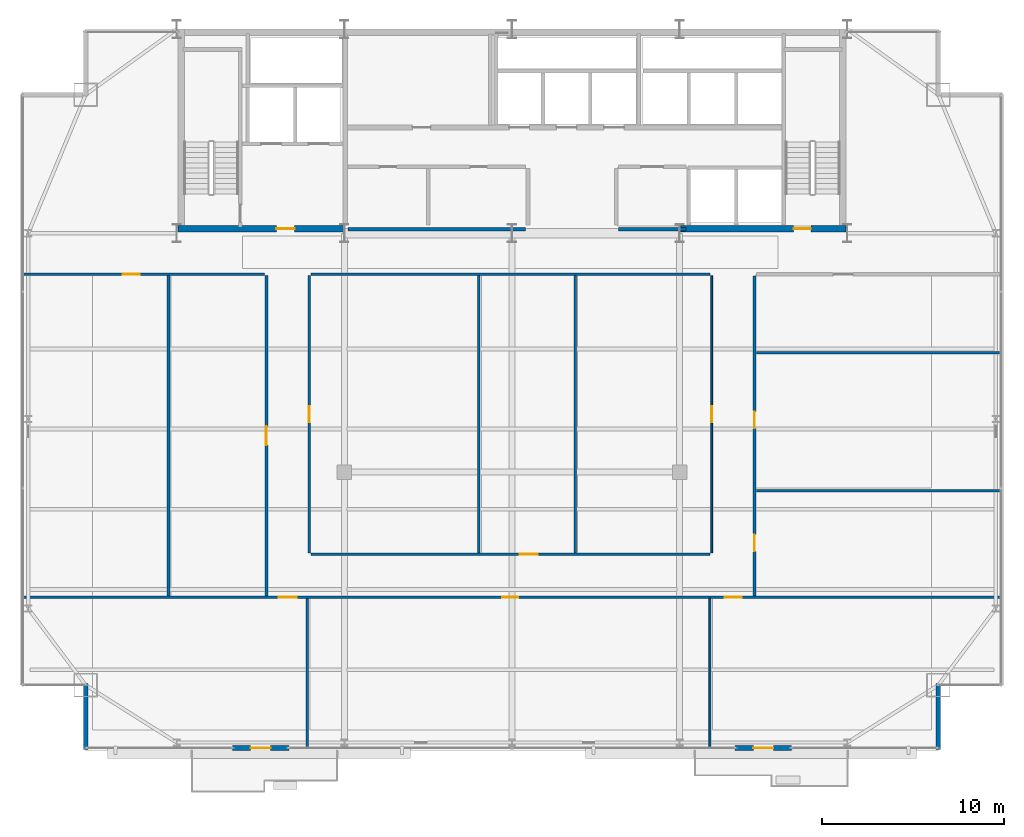
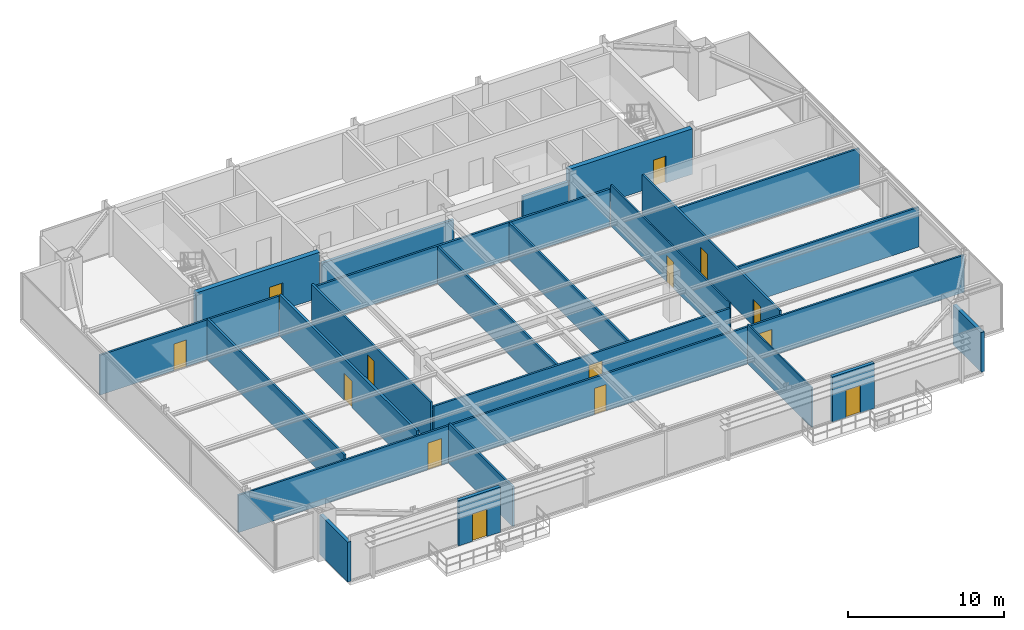
# One storey, part 27 of 31: 23 walls, 14 doors, 14 openings.
"""IFC4 building model written with IfcOpenShell, lengths in metres."""

from ifc_helpers import new_model, si_unit, direction, frame, frame_2d, origin, place, context, subcontext, project, spatial, rectangle, extrude, source, transform, mapped, material, layer, layer_set, type_object, type_shapes, element, fill, save


model = new_model("IFC4")

# Units and contexts
model_context = context("Model", 3, precision=1e-05, world=origin(), true_north=direction((0.0, 1.0)))
body_context = subcontext(model_context, "Body", "Model", "MODEL_VIEW")
ifc_project = project(units=[si_unit("LENGTHUNIT", "METRE"), si_unit("AREAUNIT", "SQUARE_METRE"), si_unit("VOLUMEUNIT", "CUBIC_METRE"), si_unit("PLANEANGLEUNIT", "RADIAN"), si_unit("MASSUNIT", "GRAM", prefix="KILO")], contexts=[model_context])

# Site, building, storey
site_placement = place(None, origin())
site = spatial("IfcSite", under=ifc_project, at=site_placement, CompositionType="ELEMENT")
building_placement = place(site_placement, origin())
building = spatial("IfcBuilding", under=site, at=building_placement, Name="Varnel Quay Broadcast Tower", CompositionType="ELEMENT")
storey_placement = place(building_placement, frame((0.0, 0.0, 183.800048828125)))
storey = spatial("IfcBuildingStorey", under=building, at=storey_placement, Name="L45", CompositionType="ELEMENT", Elevation=183.800048828125)

# Wall, opening, door
ifc_material_1 = material(Name="Concrete CSA A23.3 C50/60", Category="concrete")
ifc_layer_1 = layer(ifc_material_1, 0.35009765625, Name="Concrete CSA A23.3 C50/60")
ifc_layer_set_1 = layer_set([ifc_layer_1], Name="Concrete CSA A23.3 C50/60")
wall_type_1 = type_object("IfcWallType", Name="Wall_CoreShearInt350", PredefinedType="SHEAR", material=ifc_layer_set_1)
wall_1_placement = place(storey_placement, frame((15.669921875, 35.844970703125, 0.0), z_axis=(0.0, 0.0, 1.0), x_axis=(1.0, 0.0, 0.0)))
wall_1 = element("IfcWall", 1, at=wall_1_placement, inside=storey, type_object=wall_type_1, Name="L45 South-West Core Shear Wall", PredefinedType="SHEAR", context=body_context, shape_type="SweptSolid", body=[
    extrude(rectangle(XDim=9.130126953125, YDim=0.35009765625, at=frame_2d((4.56494140625, 0.0))), origin(), (0.0, 0.0, 1.0), 3.550048828125),
])
opening_1_placement = place(wall_1_placement, frame((5.39990234375, 0.0, 0.0)))
opening_1 = element("IfcOpeningElement", 2, at=opening_1_placement, cuts=wall_1, Name="Opening D-L45-FFL", PredefinedType="OPENING", context=body_context, shape_type="SweptSolid", body=[
    extrude(rectangle(XDim=1.0, YDim=2.10009765625, at=frame_2d((0.5, 1.050048828125))), frame((0.0, 0.18505859375, 0.0), z_axis=(0.0, -1.0, 0.0), x_axis=(1.0, 0.0, 0.0)), (0.0, 0.0, 1.0), 0.3701171875),
])
ifc_material_2 = material(Name="Insulated Fire-Rated Hollow Steel Door", Category="steel")
door_type_1 = type_object("IfcDoorType", Name="Door_FireLobby1000", OperationType="NOTDEFINED", PredefinedType="DOOR", material=ifc_material_2)
shared_shape_1 = source(origin(), body_context, "Body", "SweptSolid", [
    extrude(rectangle(XDim=1.0, YDim=2.10009765625, at=frame_2d((0.5, 1.050048828125))), frame((0.0, 0.02490234375, 0.0), z_axis=(0.0, -1.0, 0.0), x_axis=(1.0, 0.0, 0.0)), (0.0, 0.0, 1.0), 0.050048828125),
])
type_shapes(door_type_1, [shared_shape_1])
door_1_placement = place(opening_1_placement, origin())
door_1 = element("IfcDoor", 3, at=door_1_placement, inside=storey, type_object=door_type_1, Name="L45 Firefighting Lobby Door", OperationType="SINGLE_SWING_RIGHT", OverallHeight=2.10009765625, OverallWidth=1.0, PredefinedType="DOOR", context=body_context, shape_type="MappedRepresentation", body=[
    mapped(shared_shape_1, transform((0.0, 0.0, 0.0), x_axis=(1.0, 0.0, 0.0), y_axis=(0.0, 1.0, 0.0), z_axis=(0.0, 0.0, 1.0), scale=1.0)),
])
fill(opening_1, door_1)

wall_2_placement = place(storey_placement, frame((43.199951171875, 35.844970703125, 0.0), z_axis=(0.0, 0.0, 1.0), x_axis=(1.0, 0.0, 0.0)))
wall_2 = element("IfcWall", 4, at=wall_2_placement, inside=storey, type_object=wall_type_1, Name="L45 South-East Core Shear Wall", PredefinedType="SHEAR", context=body_context, shape_type="SweptSolid", body=[
    extrude(rectangle(XDim=9.130126953125, YDim=0.35009765625, at=frame_2d((4.56494140625, 0.0))), origin(), (0.0, 0.0, 1.0), 3.550048828125),
])
opening_2_placement = place(wall_2_placement, frame((6.25, 0.0, 0.0)))
opening_2 = element("IfcOpeningElement", 5, at=opening_2_placement, cuts=wall_2, Name="Opening D-L45-S2", PredefinedType="OPENING", context=body_context, shape_type="SweptSolid", body=[
    extrude(rectangle(XDim=0.949951171875, YDim=2.10009765625, at=frame_2d((0.47509765625, 1.050048828125))), frame((0.0, 0.18505859375, 0.0), z_axis=(0.0, -1.0, 0.0), x_axis=(1.0, 0.0, 0.0)), (0.0, 0.0, 1.0), 0.3701171875),
])
door_type_2 = type_object("IfcDoorType", Name="Door_FireStair950", OperationType="NOTDEFINED", PredefinedType="DOOR", material=ifc_material_2)
shared_shape_2 = source(origin(), body_context, "Body", "SweptSolid", [
    extrude(rectangle(XDim=0.949951171875, YDim=2.10009765625, at=frame_2d((0.47509765625, 1.050048828125))), frame((0.0, 0.02490234375, 0.0), z_axis=(0.0, -1.0, 0.0), x_axis=(1.0, 0.0, 0.0)), (0.0, 0.0, 1.0), 0.050048828125),
])
type_shapes(door_type_2, [shared_shape_2])
door_2_placement = place(opening_2_placement, origin())
door_2 = element("IfcDoor", 6, at=door_2_placement, inside=storey, type_object=door_type_2, Name="L45 Stair 2 Fire Door", OperationType="SINGLE_SWING_LEFT", OverallHeight=2.10009765625, OverallWidth=0.949951171875, PredefinedType="DOOR", context=body_context, shape_type="MappedRepresentation", body=[
    mapped(shared_shape_2, transform((0.0, 0.0, 0.0), x_axis=(1.0, 0.0, 0.0), y_axis=(0.0, 1.0, 0.0), z_axis=(0.0, 0.0, 1.0), scale=1.0)),
])
fill(opening_2, door_2)

ifc_material_3 = material(Name="Precast Architectural Concrete C40/50", Category="concrete")
ifc_layer_2 = layer(ifc_material_3, 0.25, Name="Precast Architectural Concrete C40/50")
ifc_layer_set_2 = layer_set([ifc_layer_2], Name="Precast Architectural Concrete C40/50")
wall_type_2 = type_object("IfcWallType", Name="Wall_ExtTerrace250", PredefinedType="SOLIDWALL", material=ifc_layer_set_2)
wall_3_placement = place(storey_placement, frame((18.64990234375, 7.35009765625, 0.0), z_axis=(0.0, 0.0, 1.0), x_axis=(1.0, 0.0, 0.0)))
wall_3 = element("IfcWall", 7, at=wall_3_placement, inside=storey, type_object=wall_type_2, Name="L45 Terrace Access Wall 1", PredefinedType="SOLIDWALL", context=body_context, shape_type="SweptSolid", body=[
    extrude(rectangle(XDim=3.10009765625, YDim=0.25, at=frame_2d((1.550048828125, 0.0))), origin(), (0.0, 0.0, 1.0), 3.530029296875),
])
opening_3_placement = place(wall_3_placement, frame((1.0, 0.0, 0.0)))
opening_3 = element("IfcOpeningElement", 8, at=opening_3_placement, cuts=wall_3, Name="Opening TD-451", PredefinedType="OPENING", context=body_context, shape_type="SweptSolid", body=[
    extrude(rectangle(XDim=1.10009765625, YDim=2.14990234375, at=frame_2d((0.550048828125, 1.074951171875))), frame((0.0, 0.135009765625, 0.0), z_axis=(0.0, -1.0, 0.0), x_axis=(1.0, 0.0, 0.0)), (0.0, 0.0, 1.0), 0.27001953125),
])
ifc_material_4 = material(Name="Anodised Bronze Aluminium 6063-T6", Category="aluminium")
door_type_3 = type_object("IfcDoorType", Name="Door_ExtTerrace1100", OperationType="NOTDEFINED", PredefinedType="DOOR", material=ifc_material_4)
shared_shape_3 = source(origin(), body_context, "Body", "SweptSolid", [
    extrude(rectangle(XDim=1.10009765625, YDim=2.14990234375, at=frame_2d((0.550048828125, 1.074951171875))), frame((0.0, 0.02490234375, 0.0), z_axis=(0.0, -1.0, 0.0), x_axis=(1.0, 0.0, 0.0)), (0.0, 0.0, 1.0), 0.050048828125),
])
type_shapes(door_type_3, [shared_shape_3])
door_3_placement = place(opening_3_placement, frame((1.10009765625, 0.0, 0.0), z_axis=(0.0, 0.0, 1.0), x_axis=(-1.0, 0.0, 0.0)))
door_3 = element("IfcDoor", 9, at=door_3_placement, inside=storey, type_object=door_type_3, Name="L45 Terrace Door TD-451", OperationType="SINGLE_SWING_LEFT", OverallHeight=2.14990234375, OverallWidth=1.10009765625, PredefinedType="DOOR", context=body_context, shape_type="MappedRepresentation", body=[
    mapped(shared_shape_3, transform((0.0, 0.0, 0.0), x_axis=(1.0, 0.0, 0.0), y_axis=(0.0, 1.0, 0.0), z_axis=(0.0, 0.0, 1.0), scale=1.0)),
])
fill(opening_3, door_3)

wall_4_placement = place(storey_placement, frame((46.25, 7.35009765625, 0.0), z_axis=(0.0, 0.0, 1.0), x_axis=(1.0, 0.0, 0.0)))
wall_4 = element("IfcWall", 10, at=wall_4_placement, inside=storey, type_object=wall_type_2, Name="L45 Terrace Access Wall 2", PredefinedType="SOLIDWALL", context=body_context, shape_type="SweptSolid", body=[
    extrude(rectangle(XDim=3.10009765625, YDim=0.25, at=frame_2d((1.550048828125, 0.0))), origin(), (0.0, 0.0, 1.0), 3.530029296875),
])
opening_4_placement = place(wall_4_placement, frame((1.0, 0.0, 0.0)))
opening_4 = element("IfcOpeningElement", 11, at=opening_4_placement, cuts=wall_4, Name="Opening TD-452", PredefinedType="OPENING", context=body_context, shape_type="SweptSolid", body=[
    extrude(rectangle(XDim=1.10009765625, YDim=2.14990234375, at=frame_2d((0.550048828125, 1.074951171875))), frame((0.0, 0.135009765625, 0.0), z_axis=(0.0, -1.0, 0.0), x_axis=(1.0, 0.0, 0.0)), (0.0, 0.0, 1.0), 0.27001953125),
])
door_4_placement = place(opening_4_placement, frame((1.10009765625, 0.0, 0.0), z_axis=(0.0, 0.0, 1.0), x_axis=(-1.0, 0.0, 0.0)))
door_4 = element("IfcDoor", 12, at=door_4_placement, inside=storey, type_object=door_type_3, Name="L45 Terrace Door TD-452", OperationType="SINGLE_SWING_RIGHT", OverallHeight=2.14990234375, OverallWidth=1.10009765625, PredefinedType="DOOR", context=body_context, shape_type="MappedRepresentation", body=[
    mapped(shared_shape_3, transform((0.0, 0.0, 0.0), x_axis=(1.0, 0.0, 0.0), y_axis=(0.0, 1.0, 0.0), z_axis=(0.0, 0.0, 1.0), scale=1.0)),
])
fill(opening_4, door_4)

# Walls
for number, where, z_axis, x_axis, name in (
    (13, (10.60009765625, 7.280029296875, 0.0), (0.0, 0.0, 1.0), (0.0, 1.0, 0.0), "L45 Mega-Column Notch Cladding Wall NSW2"),
    (14, (57.39990234375, 7.280029296875, 0.0), (0.0, 0.0, 1.0), (0.0, 1.0, 0.0), "L45 Mega-Column Notch Cladding Wall NSE2"),
):
    element("IfcWall", number, at=place(storey_placement, frame(where, z_axis=z_axis, x_axis=x_axis)), inside=storey, type_object=wall_type_2, Name=name, PredefinedType="SOLIDWALL", context=body_context, shape_type="SweptSolid", body=[
        extrude(rectangle(XDim=3.599853515625, YDim=0.25, at=frame_2d((1.7998046875, 0.0))), origin(), (0.0, 0.0, 1.0), 3.10791015625),
    ])
ifc_material_5 = material(Name="Concrete Blockwork Fire Enclosure C40/50", Category="masonry")
ifc_layer_3 = layer(ifc_material_5, 0.199951171875, Name="Concrete Blockwork Fire Enclosure C40/50")
ifc_layer_set_3 = layer_set([ifc_layer_3], Name="Concrete Blockwork Fire Enclosure C40/50")
wall_type_3 = type_object("IfcWallType", Name="Wall_FireShaft200", PredefinedType="SOLIDWALL", material=ifc_layer_set_3)
wall_5_placement = place(storey_placement, frame((39.85009765625, 35.824951171875, 0.0), z_axis=(0.0, 0.0, 1.0), x_axis=(1.0, 0.0, 0.0)))
element("IfcWall", 15, at=wall_5_placement, inside=storey, type_object=wall_type_3, Name="L45 Electrical Sub-Distribution Closet Partition 5", PredefinedType="SOLIDWALL", context=body_context, shape_type="SweptSolid", body=[
    extrude(rectangle(XDim=3.699951171875, YDim=0.199951171875, at=frame_2d((1.85009765625, 0.0))), origin(), (0.0, 0.0, 1.0), 2.574951171875),
])
ifc_material_6 = material(Name="Steel-Stud Fire-Rated Acoustic Gypsum Partition Assembly", Category="steel")
ifc_layer_4 = layer(ifc_material_6, 0.10498046875, Name="Steel-Stud Fire-Rated Acoustic Gypsum Partition Assembly")
ifc_layer_set_4 = layer_set([ifc_layer_4], Name="Steel-Stud Fire-Rated Acoustic Gypsum Partition Assembly")
wall_type_4 = type_object("IfcWallType", Name="Wall_Partition105", PredefinedType="PARTITIONING", material=ifc_layer_set_4)
wall_6_placement = place(storey_placement, frame((44.860107421875, 7.3798828125, 0.0), z_axis=(0.0, 0.0, 1.0), x_axis=(0.0, 1.0, 0.0)))
element("IfcWall", 16, at=wall_6_placement, inside=storey, type_object=wall_type_4, Name="L45 Camera Locker Store 2 Partition 10", PredefinedType="PARTITIONING", context=body_context, shape_type="SweptSolid", body=[
    extrude(rectangle(XDim=8.18017578125, YDim=0.10498046875, at=frame_2d((4.090087890625, 0.0))), origin(), (0.0, 0.0, 1.0), 3.10791015625),
])

# Wall, opening, door
wall_7_placement = place(storey_placement, frame((44.9599609375, 18.054931640625, 0.0), z_axis=(0.0, 0.0, 1.0), x_axis=(0.0, 1.0, 0.0)))
wall_7 = element("IfcWall", 17, at=wall_7_placement, inside=storey, type_object=wall_type_4, Name="L45 Camera Locker Store 8 Partition 19", PredefinedType="PARTITIONING", context=body_context, shape_type="SweptSolid", body=[
    extrude(rectangle(XDim=15.219970703125, YDim=0.10498046875, at=frame_2d((7.60986328125, 0.0))), origin(), (0.0, 0.0, 1.0), 3.221923828125),
])
opening_5_placement = place(wall_7_placement, frame((7.169921875, 0.0, 0.0)))
opening_5 = element("IfcOpeningElement", 18, at=opening_5_placement, cuts=wall_7, Name="Opening D-L45-11", PredefinedType="OPENING", context=body_context, shape_type="SweptSolid", body=[
    extrude(rectangle(XDim=0.8798828125, YDim=2.06005859375, at=frame_2d((0.43994140625, 1.030029296875))), frame((0.0, 0.0625, 0.0), z_axis=(0.0, -1.0, 0.0), x_axis=(1.0, 0.0, 0.0)), (0.0, 0.0, 1.0), 0.125),
])
ifc_material_7 = material(Name="Solid-Core Fire-Rated Acoustic Oak Veneer Door", Category="wood")
door_type_4 = type_object("IfcDoorType", Name="Door_Booth880", OperationType="NOTDEFINED", PredefinedType="DOOR", material=ifc_material_7)
shared_shape_4 = source(origin(), body_context, "Body", "SweptSolid", [
    extrude(rectangle(XDim=0.8798828125, YDim=2.06005859375, at=frame_2d((0.43994140625, 1.030029296875))), frame((0.0, 0.02490234375, 0.0), z_axis=(0.0, -1.0, 0.0), x_axis=(1.0, 0.0, 0.0)), (0.0, 0.0, 1.0), 0.050048828125),
])
type_shapes(door_type_4, [shared_shape_4])
door_5_placement = place(opening_5_placement, origin())
door_5 = element("IfcDoor", 19, at=door_5_placement, inside=storey, type_object=door_type_4, Name="L45 Camera Locker Store 8 Door D-L45-11", OperationType="SINGLE_SWING_LEFT", OverallHeight=2.06005859375, OverallWidth=0.8798828125, PredefinedType="DOOR", context=body_context, shape_type="MappedRepresentation", body=[
    mapped(shared_shape_4, transform((0.0, 0.0, 0.0), x_axis=(1.0, 0.0, 0.0), y_axis=(0.0, 1.0, 0.0), z_axis=(0.0, 0.0, 1.0), scale=1.0)),
])
fill(opening_5, door_5)

# Wall
ifc_layer_5 = layer(ifc_material_6, 0.139892578125, Name="Steel-Stud Fire-Rated Acoustic Gypsum Partition Assembly")
ifc_layer_set_5 = layer_set([ifc_layer_5], Name="Steel-Stud Fire-Rated Acoustic Gypsum Partition Assembly")
wall_type_5 = type_object("IfcWallType", Name="Wall_Partition140", PredefinedType="PARTITIONING", material=ifc_layer_set_5)
wall_8_placement = place(storey_placement, frame((22.77001953125, 7.3798828125, 0.0), z_axis=(0.0, 0.0, 1.0), x_axis=(0.0, 1.0, 0.0)))
element("IfcWall", 20, at=wall_8_placement, inside=storey, type_object=wall_type_5, Name="L45 Press Green Lounge 1 Partition 8", PredefinedType="PARTITIONING", context=body_context, shape_type="SweptSolid", body=[
    extrude(rectangle(XDim=8.18017578125, YDim=0.139892578125, at=frame_2d((4.090087890625, 0.0))), origin(), (0.0, 0.0, 1.0), 3.10791015625),
])

# Wall, openings, doors
wall_9_placement = place(storey_placement, frame((7.179931640625, 15.6298828125, 0.0), z_axis=(0.0, 0.0, 1.0), x_axis=(1.0, 0.0, 0.0)))
wall_9 = element("IfcWall", 21, at=wall_9_placement, inside=storey, type_object=wall_type_5, Name="L45 Press Green Lounge 1 Partition 9", PredefinedType="PARTITIONING", context=body_context, shape_type="SweptSolid", body=[
    extrude(rectangle(XDim=53.64013671875, YDim=0.139892578125, at=frame_2d((26.820068359375, 0.0))), origin(), (0.0, 0.0, 1.0), 2.908935546875),
])
opening_6_placement = place(wall_9_placement, frame((14.014892578125, 0.0, 0.0)))
opening_6 = element("IfcOpeningElement", 22, at=opening_6_placement, cuts=wall_9, Name="Opening D-L45-04", PredefinedType="OPENING", context=body_context, shape_type="SweptSolid", body=[
    extrude(rectangle(XDim=1.0, YDim=2.10009765625, at=frame_2d((0.5, 1.050048828125))), frame((0.0, 0.080078125, 0.0), z_axis=(0.0, -1.0, 0.0), x_axis=(1.0, 0.0, 0.0)), (0.0, 0.0, 1.0), 0.159912109375),
])
opening_7_placement = place(wall_9_placement, frame((26.294921875, 0.0, 0.0)))
opening_7 = element("IfcOpeningElement", 23, at=opening_7_placement, cuts=wall_9, Name="Opening D-L45-05", PredefinedType="OPENING", context=body_context, shape_type="SweptSolid", body=[
    extrude(rectangle(XDim=0.8798828125, YDim=2.06005859375, at=frame_2d((0.43994140625, 1.030029296875))), frame((0.0, 0.080078125, 0.0), z_axis=(0.0, -1.0, 0.0), x_axis=(1.0, 0.0, 0.0)), (0.0, 0.0, 1.0), 0.159912109375),
])
opening_8_placement = place(wall_9_placement, frame((38.4951171875, 0.0, 0.0)))
opening_8 = element("IfcOpeningElement", 24, at=opening_8_placement, cuts=wall_9, Name="Opening D-L45-06", PredefinedType="OPENING", context=body_context, shape_type="SweptSolid", body=[
    extrude(rectangle(XDim=0.919921875, YDim=2.080078125, at=frame_2d((0.4599609375, 1.0400390625))), frame((0.0, 0.080078125, 0.0), z_axis=(0.0, -1.0, 0.0), x_axis=(1.0, 0.0, 0.0)), (0.0, 0.0, 1.0), 0.159912109375),
])
door_6_placement = place(opening_7_placement, frame((0.8798828125, 0.0, 0.0), z_axis=(0.0, 0.0, 1.0), x_axis=(-1.0, 0.0, 0.0)))
door_6 = element("IfcDoor", 25, at=door_6_placement, inside=storey, type_object=door_type_4, Name="L45 Camera Locker Store 2 Door D-L45-05", OperationType="SINGLE_SWING_LEFT", OverallHeight=2.06005859375, OverallWidth=0.8798828125, PredefinedType="DOOR", context=body_context, shape_type="MappedRepresentation", body=[
    mapped(shared_shape_4, transform((0.0, 0.0, 0.0), x_axis=(1.0, 0.0, 0.0), y_axis=(0.0, 1.0, 0.0), z_axis=(0.0, 0.0, 1.0), scale=1.0)),
])
fill(opening_7, door_6)
door_type_5 = type_object("IfcDoorType", Name="Door_Office920", OperationType="NOTDEFINED", PredefinedType="DOOR", material=ifc_material_7)
shared_shape_5 = source(origin(), body_context, "Body", "SweptSolid", [
    extrude(rectangle(XDim=0.919921875, YDim=2.080078125, at=frame_2d((0.4599609375, 1.0400390625))), frame((0.0, 0.02490234375, 0.0), z_axis=(0.0, -1.0, 0.0), x_axis=(1.0, 0.0, 0.0)), (0.0, 0.0, 1.0), 0.050048828125),
])
type_shapes(door_type_5, [shared_shape_5])
door_7_placement = place(opening_8_placement, frame((0.919921875, 0.0, 0.0), z_axis=(0.0, 0.0, 1.0), x_axis=(-1.0, 0.0, 0.0)))
door_7 = element("IfcDoor", 26, at=door_7_placement, inside=storey, type_object=door_type_5, Name="L45 Broadcast Newsroom 3 Door D-L45-06", OperationType="SINGLE_SWING_RIGHT", OverallHeight=2.080078125, OverallWidth=0.919921875, PredefinedType="DOOR", context=body_context, shape_type="MappedRepresentation", body=[
    mapped(shared_shape_5, transform((0.0, 0.0, 0.0), x_axis=(1.0, 0.0, 0.0), y_axis=(0.0, 1.0, 0.0), z_axis=(0.0, 0.0, 1.0), scale=1.0)),
])
fill(opening_8, door_7)
door_type_6 = type_object("IfcDoorType", Name="Door_Exec1000", OperationType="NOTDEFINED", PredefinedType="DOOR", material=ifc_material_7)
shared_shape_6 = source(origin(), body_context, "Body", "SweptSolid", [
    extrude(rectangle(XDim=1.0, YDim=2.10009765625, at=frame_2d((0.5, 1.050048828125))), frame((0.0, 0.02490234375, 0.0), z_axis=(0.0, -1.0, 0.0), x_axis=(1.0, 0.0, 0.0)), (0.0, 0.0, 1.0), 0.050048828125),
])
type_shapes(door_type_6, [shared_shape_6])
door_8_placement = place(opening_6_placement, frame((1.0, 0.0, 0.0), z_axis=(0.0, 0.0, 1.0), x_axis=(-1.0, 0.0, 0.0)))
door_8 = element("IfcDoor", 27, at=door_8_placement, inside=storey, type_object=door_type_6, Name="L45 Press Green Lounge 1 Door D-L45-04", OperationType="SINGLE_SWING_RIGHT", OverallHeight=2.10009765625, OverallWidth=1.0, PredefinedType="DOOR", context=body_context, shape_type="MappedRepresentation", body=[
    mapped(shared_shape_6, transform((0.0, 0.0, 0.0), x_axis=(1.0, 0.0, 0.0), y_axis=(0.0, 1.0, 0.0), z_axis=(0.0, 0.0, 1.0), scale=1.0)),
])
fill(opening_6, door_8)

# Walls
wall_10_placement = place(storey_placement, frame((37.469970703125, 18.054931640625, 0.0), z_axis=(0.0, 0.0, 1.0), x_axis=(0.0, 1.0, 0.0)))
element("IfcWall", 28, at=wall_10_placement, inside=storey, type_object=wall_type_5, Name="L45 Press Green Lounge 7 Partition 18", PredefinedType="PARTITIONING", context=body_context, shape_type="SweptSolid", body=[
    extrude(rectangle(XDim=15.219970703125, YDim=0.139892578125, at=frame_2d((7.60986328125, 0.0))), origin(), (0.0, 0.0, 1.0), 2.908935546875),
])
ifc_layer_6 = layer(ifc_material_6, 0.14990234375, Name="Steel-Stud Fire-Rated Acoustic Gypsum Partition Assembly")
ifc_layer_set_6 = layer_set([ifc_layer_6], Name="Steel-Stud Fire-Rated Acoustic Gypsum Partition Assembly")
wall_type_6 = type_object("IfcWallType", Name="Wall_Partition150", PredefinedType="PARTITIONING", material=ifc_layer_set_6)
wall_11_placement = place(storey_placement, frame((15.14990234375, 15.699951171875, 0.0), z_axis=(0.0, 0.0, 1.0), x_axis=(0.0, 1.0, 0.0)))
element("IfcWall", 29, at=wall_11_placement, inside=storey, type_object=wall_type_6, Name="L45 Assignment Desk 4 Partition 11", PredefinedType="PARTITIONING", context=body_context, shape_type="SweptSolid", body=[
    extrude(rectangle(XDim=17.574951171875, YDim=0.14990234375, at=frame_2d((8.78759765625, 0.0))), origin(), (0.0, 0.0, 1.0), 3.221923828125),
])

# Wall, opening, door
wall_12_placement = place(storey_placement, frame((7.179931640625, 33.35009765625, 0.0), z_axis=(0.0, 0.0, 1.0), x_axis=(1.0, 0.0, 0.0)))
wall_12 = element("IfcWall", 30, at=wall_12_placement, inside=storey, type_object=wall_type_6, Name="L45 Assignment Desk 4 Partition 12", PredefinedType="PARTITIONING", context=body_context, shape_type="SweptSolid", body=[
    extrude(rectangle(XDim=13.239990234375, YDim=0.14990234375, at=frame_2d((6.6201171875, 0.0))), origin(), (0.0, 0.0, 1.0), 3.10791015625),
])
opening_9_placement = place(wall_12_placement, frame((5.4599609375, 0.0, 0.0)))
opening_9 = element("IfcOpeningElement", 31, at=opening_9_placement, cuts=wall_12, Name="Opening D-L45-07", PredefinedType="OPENING", context=body_context, shape_type="SweptSolid", body=[
    extrude(rectangle(XDim=0.919921875, YDim=2.080078125, at=frame_2d((0.4599609375, 1.0400390625))), frame((0.0, 0.0849609375, 0.0), z_axis=(0.0, -1.0, 0.0), x_axis=(1.0, 0.0, 0.0)), (0.0, 0.0, 1.0), 0.169921875),
])
door_9_placement = place(opening_9_placement, frame((0.919921875, 0.0, 0.0), z_axis=(0.0, 0.0, 1.0), x_axis=(-1.0, 0.0, 0.0)))
door_9 = element("IfcDoor", 32, at=door_9_placement, inside=storey, type_object=door_type_5, Name="L45 Assignment Desk 4 Door D-L45-07", OperationType="SINGLE_SWING_LEFT", OverallHeight=2.080078125, OverallWidth=0.919921875, PredefinedType="DOOR", context=body_context, shape_type="MappedRepresentation", body=[
    mapped(shared_shape_5, transform((0.0, 0.0, 0.0), x_axis=(1.0, 0.0, 0.0), y_axis=(0.0, 1.0, 0.0), z_axis=(0.0, 0.0, 1.0), scale=1.0)),
])
fill(opening_9, door_9)

wall_13_placement = place(storey_placement, frame((22.969970703125, 17.97998046875, 0.0), z_axis=(0.0, 0.0, 1.0), x_axis=(1.0, 0.0, 0.0)))
wall_13 = element("IfcWall", 33, at=wall_13_placement, inside=storey, type_object=wall_type_6, Name="L45 Break Kitchen 6 Partition 14", PredefinedType="PARTITIONING", context=body_context, shape_type="SweptSolid", body=[
    extrude(rectangle(XDim=21.89013671875, YDim=0.14990234375, at=frame_2d((10.945068359375, 0.0))), origin(), (0.0, 0.0, 1.0), 2.908935546875),
])
opening_10_placement = place(wall_13_placement, frame((11.455078125, 0.0, 0.0)))
opening_10 = element("IfcOpeningElement", 34, at=opening_10_placement, cuts=wall_13, Name="Opening D-L45-10", PredefinedType="OPENING", context=body_context, shape_type="SweptSolid", body=[
    extrude(rectangle(XDim=1.0, YDim=2.10009765625, at=frame_2d((0.5, 1.050048828125))), frame((0.0, 0.0849609375, 0.0), z_axis=(0.0, -1.0, 0.0), x_axis=(1.0, 0.0, 0.0)), (0.0, 0.0, 1.0), 0.169921875),
])
door_10_placement = place(opening_10_placement, origin())
door_10 = element("IfcDoor", 35, at=door_10_placement, inside=storey, type_object=door_type_6, Name="L45 Press Green Lounge 7 Door D-L45-10", OperationType="SINGLE_SWING_RIGHT", OverallHeight=2.10009765625, OverallWidth=1.0, PredefinedType="DOOR", context=body_context, shape_type="MappedRepresentation", body=[
    mapped(shared_shape_6, transform((0.0, 0.0, 0.0), x_axis=(1.0, 0.0, 0.0), y_axis=(0.0, 1.0, 0.0), z_axis=(0.0, 0.0, 1.0), scale=1.0)),
])
fill(opening_10, door_10)

# Walls
wall_14_placement = place(storey_placement, frame((32.179931640625, 18.054931640625, 0.0), z_axis=(0.0, 0.0, 1.0), x_axis=(0.0, 1.0, 0.0)))
element("IfcWall", 36, at=wall_14_placement, inside=storey, type_object=wall_type_6, Name="L45 Break Kitchen 6 Partition 15", PredefinedType="PARTITIONING", context=body_context, shape_type="SweptSolid", body=[
    extrude(rectangle(XDim=15.219970703125, YDim=0.14990234375, at=frame_2d((7.60986328125, 0.0))), origin(), (0.0, 0.0, 1.0), 2.908935546875),
])
wall_15_placement = place(storey_placement, frame((22.969970703125, 33.35009765625, 0.0), z_axis=(0.0, 0.0, 1.0), x_axis=(1.0, 0.0, 0.0)))
element("IfcWall", 37, at=wall_15_placement, inside=storey, type_object=wall_type_6, Name="L45 Break Kitchen 6 Partition 16", PredefinedType="PARTITIONING", context=body_context, shape_type="SweptSolid", body=[
    extrude(rectangle(XDim=21.89013671875, YDim=0.14990234375, at=frame_2d((10.945068359375, 0.0))), origin(), (0.0, 0.0, 1.0), 2.908935546875),
])

# Wall, opening, door
wall_16_placement = place(storey_placement, frame((22.8701171875, 18.054931640625, 0.0), z_axis=(0.0, 0.0, 1.0), x_axis=(0.0, 1.0, 0.0)))
wall_16 = element("IfcWall", 38, at=wall_16_placement, inside=storey, type_object=wall_type_6, Name="L45 Break Kitchen 6 Partition 17", PredefinedType="PARTITIONING", context=body_context, shape_type="SweptSolid", body=[
    extrude(rectangle(XDim=15.219970703125, YDim=0.14990234375, at=frame_2d((7.60986328125, 0.0))), origin(), (0.0, 0.0, 1.0), 3.221923828125),
])
opening_11_placement = place(wall_16_placement, frame((7.169921875, 0.0, 0.0)))
opening_11 = element("IfcOpeningElement", 39, at=opening_11_placement, cuts=wall_16, Name="Opening D-L45-09", PredefinedType="OPENING", context=body_context, shape_type="SweptSolid", body=[
    extrude(rectangle(XDim=0.8798828125, YDim=2.06005859375, at=frame_2d((0.43994140625, 1.030029296875))), frame((0.0, 0.0849609375, 0.0), z_axis=(0.0, -1.0, 0.0), x_axis=(1.0, 0.0, 0.0)), (0.0, 0.0, 1.0), 0.169921875),
])
door_11_placement = place(opening_11_placement, frame((0.8798828125, 0.0, 0.0), z_axis=(0.0, 0.0, 1.0), x_axis=(-1.0, 0.0, 0.0)))
door_11 = element("IfcDoor", 40, at=door_11_placement, inside=storey, type_object=door_type_4, Name="L45 Break Kitchen 6 Door D-L45-09", OperationType="SINGLE_SWING_LEFT", OverallHeight=2.06005859375, OverallWidth=0.8798828125, PredefinedType="DOOR", context=body_context, shape_type="MappedRepresentation", body=[
    mapped(shared_shape_4, transform((0.0, 0.0, 0.0), x_axis=(1.0, 0.0, 0.0), y_axis=(0.0, 1.0, 0.0), z_axis=(0.0, 0.0, 1.0), scale=1.0)),
])
fill(opening_11, door_11)

# Wall
wall_17_placement = place(storey_placement, frame((47.409912109375, 21.469970703125, 0.0), z_axis=(0.0, 0.0, 1.0), x_axis=(1.0, 0.0, 0.0)))
element("IfcWall", 41, at=wall_17_placement, inside=storey, type_object=wall_type_6, Name="L45 Broadcast Newsroom 9 Partition 20", PredefinedType="PARTITIONING", context=body_context, shape_type="SweptSolid", body=[
    extrude(rectangle(XDim=13.41015625, YDim=0.14990234375, at=frame_2d((6.705078125, 0.0))), origin(), (0.0, 0.0, 1.0), 3.10791015625),
])

# Wall, openings, doors
wall_18_placement = place(storey_placement, frame((47.31005859375, 15.699951171875, 0.0), z_axis=(0.0, 0.0, 1.0), x_axis=(0.0, 1.0, 0.0)))
wall_18 = element("IfcWall", 42, at=wall_18_placement, inside=storey, type_object=wall_type_6, Name="L45 Broadcast Newsroom 9 Partition 21", PredefinedType="PARTITIONING", context=body_context, shape_type="SweptSolid", body=[
    extrude(rectangle(XDim=17.56298828125, YDim=0.14990234375, at=frame_2d((8.781494140625, 0.0))), origin(), (0.0, 0.0, 1.0), 3.221923828125),
])
opening_12_placement = place(wall_18_placement, frame((2.43994140625, 0.0, 0.0)))
opening_12 = element("IfcOpeningElement", 43, at=opening_12_placement, cuts=wall_18, Name="Opening D-L45-12", PredefinedType="OPENING", context=body_context, shape_type="SweptSolid", body=[
    extrude(rectangle(XDim=0.919921875, YDim=2.080078125, at=frame_2d((0.4599609375, 1.0400390625))), frame((0.0, 0.0849609375, 0.0), z_axis=(0.0, -1.0, 0.0), x_axis=(1.0, 0.0, 0.0)), (0.0, 0.0, 1.0), 0.169921875),
])
opening_13_placement = place(wall_18_placement, frame((9.195068359375, 0.0, 0.0)))
opening_13 = element("IfcOpeningElement", 44, at=opening_13_placement, cuts=wall_18, Name="Opening D-L45-13", PredefinedType="OPENING", context=body_context, shape_type="SweptSolid", body=[
    extrude(rectangle(XDim=0.919921875, YDim=2.080078125, at=frame_2d((0.4599609375, 1.0400390625))), frame((0.0, 0.0849609375, 0.0), z_axis=(0.0, -1.0, 0.0), x_axis=(1.0, 0.0, 0.0)), (0.0, 0.0, 1.0), 0.169921875),
])
door_12_placement = place(opening_12_placement, frame((0.919921875, 0.0, 0.0), z_axis=(0.0, 0.0, 1.0), x_axis=(-1.0, 0.0, 0.0)))
door_12 = element("IfcDoor", 45, at=door_12_placement, inside=storey, type_object=door_type_5, Name="L45 Broadcast Newsroom 9 Door D-L45-12", OperationType="SINGLE_SWING_RIGHT", OverallHeight=2.080078125, OverallWidth=0.919921875, PredefinedType="DOOR", context=body_context, shape_type="MappedRepresentation", body=[
    mapped(shared_shape_5, transform((0.0, 0.0, 0.0), x_axis=(1.0, 0.0, 0.0), y_axis=(0.0, 1.0, 0.0), z_axis=(0.0, 0.0, 1.0), scale=1.0)),
])
fill(opening_12, door_12)
door_13_placement = place(opening_13_placement, frame((0.919921875, 0.0, 0.0), z_axis=(0.0, 0.0, 1.0), x_axis=(-1.0, 0.0, 0.0)))
door_13 = element("IfcDoor", 46, at=door_13_placement, inside=storey, type_object=door_type_5, Name="L45 Assignment Desk 10 Door D-L45-13", OperationType="SINGLE_SWING_LEFT", OverallHeight=2.080078125, OverallWidth=0.919921875, PredefinedType="DOOR", context=body_context, shape_type="MappedRepresentation", body=[
    mapped(shared_shape_5, transform((0.0, 0.0, 0.0), x_axis=(1.0, 0.0, 0.0), y_axis=(0.0, 1.0, 0.0), z_axis=(0.0, 0.0, 1.0), scale=1.0)),
])
fill(opening_13, door_13)

# Wall
wall_19_placement = place(storey_placement, frame((47.409912109375, 29.0400390625, 0.0), z_axis=(0.0, 0.0, 1.0), x_axis=(1.0, 0.0, 0.0)))
element("IfcWall", 47, at=wall_19_placement, inside=storey, type_object=wall_type_6, Name="L45 Assignment Desk 10 Partition 22", PredefinedType="PARTITIONING", context=body_context, shape_type="SweptSolid", body=[
    extrude(rectangle(XDim=13.41015625, YDim=0.14990234375, at=frame_2d((6.705078125, 0.0))), origin(), (0.0, 0.0, 1.0), 3.10791015625),
])

# Wall, opening, door
ifc_layer_7 = layer(ifc_material_6, 0.175048828125, Name="Steel-Stud Fire-Rated Acoustic Gypsum Partition Assembly")
ifc_layer_set_7 = layer_set([ifc_layer_7], Name="Steel-Stud Fire-Rated Acoustic Gypsum Partition Assembly")
wall_type_7 = type_object("IfcWallType", Name="Wall_Partition175", PredefinedType="PARTITIONING", material=ifc_layer_set_7)
wall_20_placement = place(storey_placement, frame((20.52001953125, 15.699951171875, 0.0), z_axis=(0.0, 0.0, 1.0), x_axis=(0.0, 1.0, 0.0)))
wall_20 = element("IfcWall", 48, at=wall_20_placement, inside=storey, type_object=wall_type_7, Name="L45 Editorial Boardroom 5 Partition 13", PredefinedType="PARTITIONING", context=body_context, shape_type="SweptSolid", body=[
    extrude(rectangle(XDim=17.574951171875, YDim=0.175048828125, at=frame_2d((8.78759765625, 0.0))), origin(), (0.0, 0.0, 1.0), 3.221923828125),
])
opening_14_placement = place(wall_20_placement, frame((8.264892578125, 0.0, 0.0)))
opening_14 = element("IfcOpeningElement", 49, at=opening_14_placement, cuts=wall_20, Name="Opening D-L45-08", PredefinedType="OPENING", context=body_context, shape_type="SweptSolid", body=[
    extrude(rectangle(XDim=1.050048828125, YDim=2.10009765625, at=frame_2d((0.52490234375, 1.050048828125))), frame((0.0, 0.09765625, 0.0), z_axis=(0.0, -1.0, 0.0), x_axis=(1.0, 0.0, 0.0)), (0.0, 0.0, 1.0), 0.195068359375),
])
door_type_7 = type_object("IfcDoorType", Name="Door_Meeting1050", OperationType="NOTDEFINED", PredefinedType="DOOR", material=ifc_material_7)
shared_shape_7 = source(origin(), body_context, "Body", "SweptSolid", [
    extrude(rectangle(XDim=1.050048828125, YDim=2.10009765625, at=frame_2d((0.52490234375, 1.050048828125))), frame((0.0, 0.02490234375, 0.0), z_axis=(0.0, -1.0, 0.0), x_axis=(1.0, 0.0, 0.0)), (0.0, 0.0, 1.0), 0.050048828125),
])
type_shapes(door_type_7, [shared_shape_7])
door_14_placement = place(opening_14_placement, origin())
door_14 = element("IfcDoor", 50, at=door_14_placement, inside=storey, type_object=door_type_7, Name="L45 Editorial Boardroom 5 Door D-L45-08", OperationType="SINGLE_SWING_RIGHT", OverallHeight=2.10009765625, OverallWidth=1.050048828125, PredefinedType="DOOR", context=body_context, shape_type="MappedRepresentation", body=[
    mapped(shared_shape_7, transform((0.0, 0.0, 0.0), x_axis=(1.0, 0.0, 0.0), y_axis=(0.0, 1.0, 0.0), z_axis=(0.0, 0.0, 1.0), scale=1.0)),
])
fill(opening_14, door_14)

# Wall
ifc_material_8 = material(Name="Fire-Rated Moisture-Resistant Plumbing Chase Partition")
ifc_layer_8 = layer(ifc_material_8, 0.199951171875, Name="Fire-Rated Moisture-Resistant Plumbing Chase Partition")
ifc_layer_set_8 = layer_set([ifc_layer_8], Name="Fire-Rated Moisture-Resistant Plumbing Chase Partition")
wall_type_8 = type_object("IfcWallType", Name="Wall_Plumbing200", PredefinedType="PLUMBINGWALL", material=ifc_layer_set_8)
wall_21_placement = place(storey_placement, frame((25.0, 35.824951171875, 0.0), z_axis=(0.0, 0.0, 1.0), x_axis=(1.0, 0.0, 0.0)))
element("IfcWall", 51, at=wall_21_placement, inside=storey, type_object=wall_type_8, Name="L45 Accessible Washroom Partition 1", PredefinedType="PLUMBINGWALL", context=body_context, shape_type="SweptSolid", body=[
    extrude(rectangle(XDim=9.75, YDim=0.199951171875, at=frame_2d((4.875, 0.0))), origin(), (0.0, 0.0, 1.0), 2.574951171875),
])

save(model, "model.ifc")
